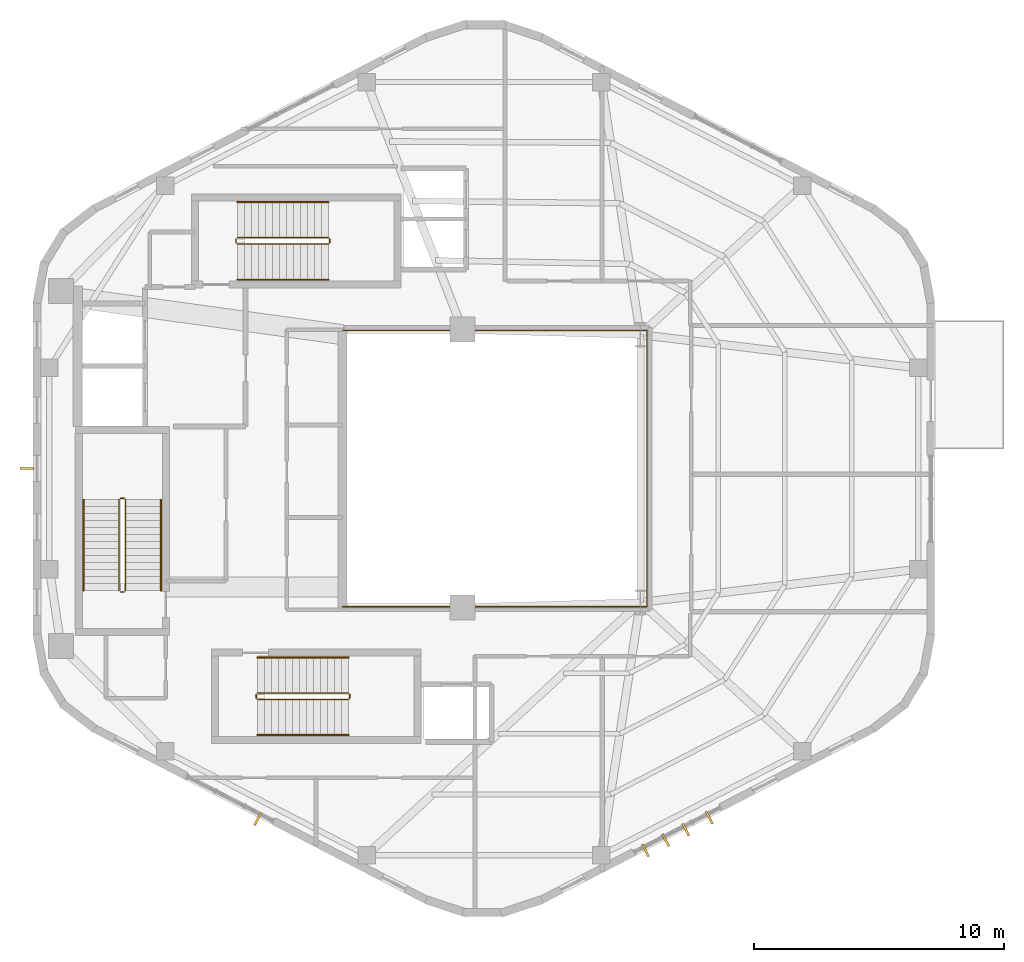
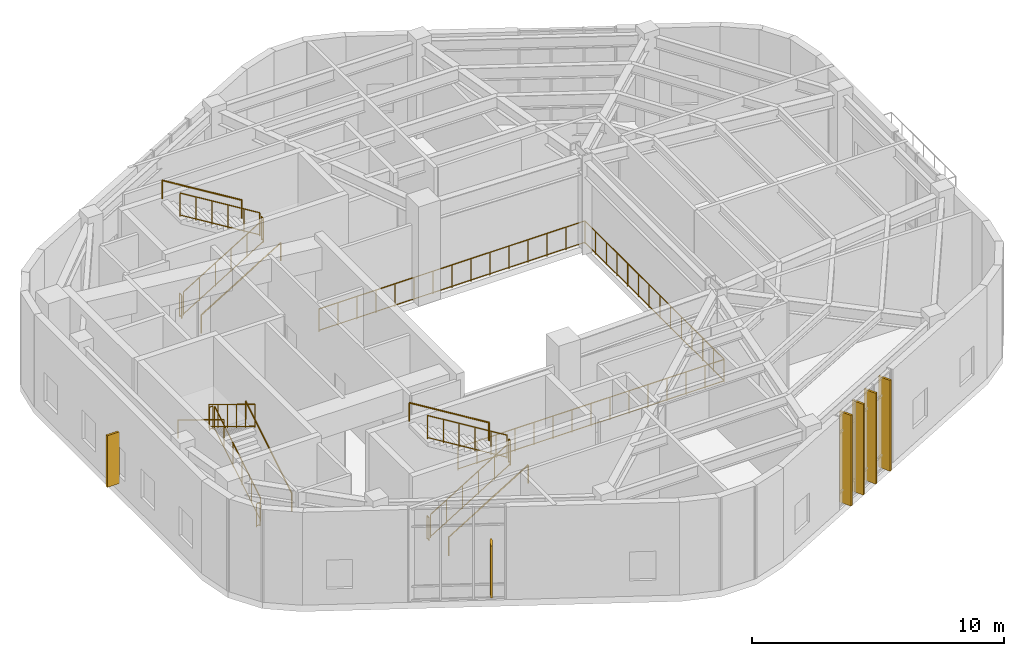
# One storey, part 18 of 19: 19 railings, 6 shading devices.
"""IFC4 building model written with IfcOpenShell, lengths in metres."""

from ifc_helpers import new_model, si_unit, direction, frame, origin, origin_2d, place, context, subcontext, project, spatial, rectangle, circle, extrude, material, type_object, element, save


model = new_model("IFC4")

# Units and contexts
model_context = context("Model", 3, precision=1e-05, world=origin(), true_north=direction((0.0, 1.0)))
body_context = subcontext(model_context, "Body", "Model", "MODEL_VIEW")
ifc_project = project(units=[si_unit("LENGTHUNIT", "METRE"), si_unit("AREAUNIT", "SQUARE_METRE"), si_unit("VOLUMEUNIT", "CUBIC_METRE"), si_unit("PLANEANGLEUNIT", "RADIAN"), si_unit("MASSUNIT", "GRAM", prefix="KILO"), si_unit("THERMODYNAMICTEMPERATUREUNIT", "KELVIN"), si_unit("POWERUNIT", "WATT")], contexts=[model_context])

# Site, building, storey
site_placement = place(None, origin())
site = spatial("IfcSite", under=ifc_project, at=site_placement, CompositionType="ELEMENT")
building_placement = place(site_placement, origin())
building = spatial("IfcBuilding", under=site, at=building_placement, Name="Skarre Station Tower", CompositionType="ELEMENT")
storey_placement = place(building_placement, frame((0.0, 0.0, 275.10009765625)))
storey = spatial("IfcBuildingStorey", under=building, at=storey_placement, Name="L75", CompositionType="ELEMENT", Elevation=275.10009765625)

# Railing
ifc_material_1 = material(Name="Bronze Anodized Steel & Laminated Glass Balustrade", Category="steel")
railing_type_1 = type_object("IfcRailingType", Name="Atrium Void & Mezzanine Guard Balustrade 1120", PredefinedType="GUARDRAIL", material=ifc_material_1)
railing_1_placement = place(storey_placement, frame((27.550048828125, 18.47998046875, 0.0)))
element("IfcRailing", 1, at=railing_1_placement, inside=storey, type_object=railing_type_1, Name="L75 Atrium Void Guard Balustrade", PredefinedType="GUARDRAIL", context=body_context, shape_type="SweptSolid", body=[
    extrude(circle(Radius=0.02392578125, at=origin_2d()), frame((0.0, 0.0, 1.09619140625), z_axis=(1.0, 0.0, 0.0), x_axis=(0.0, 1.0, 0.0)), (0.0, 0.0, 1.0), 12.169921875),
    extrude(circle(Radius=0.02099609375, at=origin_2d()), frame((0.0, 0.0, 0.06005859375), z_axis=(1.0, 0.0, 0.0), x_axis=(0.0, 1.0, 0.0)), (0.0, 0.0, 1.0), 12.169921875),
    extrude(circle(Radius=0.02392578125, at=origin_2d()), frame((12.169921875, 0.0, 1.09619140625), z_axis=(0.0, 1.0, 0.0), x_axis=(-1.0, 0.0, 0.0)), (0.0, 0.0, 1.0), 11.0400390625),
    extrude(circle(Radius=0.02099609375, at=origin_2d()), frame((12.169921875, 0.0, 0.06005859375), z_axis=(0.0, 1.0, 0.0), x_axis=(-1.0, 0.0, 0.0)), (0.0, 0.0, 1.0), 11.0400390625),
    extrude(circle(Radius=0.02392578125, at=origin_2d()), frame((12.169921875, 11.0400390625, 1.09619140625), z_axis=(-1.0, 0.0, 0.0), x_axis=(0.0, -1.0, 0.0)), (0.0, 0.0, 1.0), 12.169921875),
    extrude(circle(Radius=0.02099609375, at=origin_2d()), frame((12.169921875, 11.0400390625, 0.06005859375), z_axis=(-1.0, 0.0, 0.0), x_axis=(0.0, -1.0, 0.0)), (0.0, 0.0, 1.0), 12.169921875),
    extrude(circle(Radius=0.02099609375, at=origin_2d()), origin(), (0.0, 0.0, 1.0), 1.072021484375),
    extrude(circle(Radius=0.02099609375, at=origin_2d()), frame((0.869384765625, 0.0, 0.0)), (0.0, 0.0, 1.0), 1.072021484375),
    extrude(circle(Radius=0.02099609375, at=origin_2d()), frame((1.738525390625, 0.0, 0.0)), (0.0, 0.0, 1.0), 1.072021484375),
    extrude(circle(Radius=0.02099609375, at=origin_2d()), frame((2.60791015625, 0.0, 0.0)), (0.0, 0.0, 1.0), 1.072021484375),
    extrude(circle(Radius=0.02099609375, at=origin_2d()), frame((3.47705078125, 0.0, 0.0)), (0.0, 0.0, 1.0), 1.072021484375),
    extrude(circle(Radius=0.02099609375, at=origin_2d()), frame((4.346435546875, 0.0, 0.0)), (0.0, 0.0, 1.0), 1.072021484375),
    extrude(circle(Radius=0.02099609375, at=origin_2d()), frame((5.215576171875, 0.0, 0.0)), (0.0, 0.0, 1.0), 1.072021484375),
    extrude(circle(Radius=0.02099609375, at=origin_2d()), frame((6.0849609375, 0.0, 0.0)), (0.0, 0.0, 1.0), 1.072021484375),
    extrude(circle(Radius=0.02099609375, at=origin_2d()), frame((6.954345703125, 0.0, 0.0)), (0.0, 0.0, 1.0), 1.072021484375),
    extrude(circle(Radius=0.02099609375, at=origin_2d()), frame((7.823486328125, 0.0, 0.0)), (0.0, 0.0, 1.0), 1.072021484375),
    extrude(circle(Radius=0.02099609375, at=origin_2d()), frame((8.69287109375, 0.0, 0.0)), (0.0, 0.0, 1.0), 1.072021484375),
    extrude(circle(Radius=0.02099609375, at=origin_2d()), frame((9.56201171875, 0.0, 0.0)), (0.0, 0.0, 1.0), 1.072021484375),
    extrude(circle(Radius=0.02099609375, at=origin_2d()), frame((10.431396484375, 0.0, 0.0)), (0.0, 0.0, 1.0), 1.072021484375),
    extrude(circle(Radius=0.02099609375, at=origin_2d()), frame((11.300537109375, 0.0, 0.0)), (0.0, 0.0, 1.0), 1.072021484375),
    extrude(circle(Radius=0.02099609375, at=origin_2d()), frame((12.169921875, 0.0, 0.0)), (0.0, 0.0, 1.0), 1.072021484375),
    extrude(circle(Radius=0.02099609375, at=origin_2d()), frame((12.169921875, 0.84912109375, 0.0)), (0.0, 0.0, 1.0), 1.072021484375),
    extrude(circle(Radius=0.02099609375, at=origin_2d()), frame((12.169921875, 1.698486328125, 0.0)), (0.0, 0.0, 1.0), 1.072021484375),
    extrude(circle(Radius=0.02099609375, at=origin_2d()), frame((12.169921875, 2.547607421875, 0.0)), (0.0, 0.0, 1.0), 1.072021484375),
    extrude(circle(Radius=0.02099609375, at=origin_2d()), frame((12.169921875, 3.39697265625, 0.0)), (0.0, 0.0, 1.0), 1.072021484375),
    extrude(circle(Radius=0.02099609375, at=origin_2d()), frame((12.169921875, 4.24609375, 0.0)), (0.0, 0.0, 1.0), 1.072021484375),
    extrude(circle(Radius=0.02099609375, at=origin_2d()), frame((12.169921875, 5.095458984375, 0.0)), (0.0, 0.0, 1.0), 1.072021484375),
    extrude(circle(Radius=0.02099609375, at=origin_2d()), frame((12.169921875, 5.944580078125, 0.0)), (0.0, 0.0, 1.0), 1.072021484375),
    extrude(circle(Radius=0.02099609375, at=origin_2d()), frame((12.169921875, 6.7939453125, 0.0)), (0.0, 0.0, 1.0), 1.072021484375),
    extrude(circle(Radius=0.02099609375, at=origin_2d()), frame((12.169921875, 7.64306640625, 0.0)), (0.0, 0.0, 1.0), 1.072021484375),
    extrude(circle(Radius=0.02099609375, at=origin_2d()), frame((12.169921875, 8.492431640625, 0.0)), (0.0, 0.0, 1.0), 1.072021484375),
    extrude(circle(Radius=0.02099609375, at=origin_2d()), frame((12.169921875, 9.341552734375, 0.0)), (0.0, 0.0, 1.0), 1.072021484375),
    extrude(circle(Radius=0.02099609375, at=origin_2d()), frame((12.169921875, 10.19091796875, 0.0)), (0.0, 0.0, 1.0), 1.072021484375),
    extrude(circle(Radius=0.02099609375, at=origin_2d()), frame((12.169921875, 11.0400390625, 0.0)), (0.0, 0.0, 1.0), 1.072021484375),
    extrude(circle(Radius=0.02099609375, at=origin_2d()), frame((11.300537109375, 11.0400390625, 0.0)), (0.0, 0.0, 1.0), 1.072021484375),
    extrude(circle(Radius=0.02099609375, at=origin_2d()), frame((10.431396484375, 11.0400390625, 0.0)), (0.0, 0.0, 1.0), 1.072021484375),
    extrude(circle(Radius=0.02099609375, at=origin_2d()), frame((9.56201171875, 11.0400390625, 0.0)), (0.0, 0.0, 1.0), 1.072021484375),
    extrude(circle(Radius=0.02099609375, at=origin_2d()), frame((8.69287109375, 11.0400390625, 0.0)), (0.0, 0.0, 1.0), 1.072021484375),
    extrude(circle(Radius=0.02099609375, at=origin_2d()), frame((7.823486328125, 11.0400390625, 0.0)), (0.0, 0.0, 1.0), 1.072021484375),
    extrude(circle(Radius=0.02099609375, at=origin_2d()), frame((6.954345703125, 11.0400390625, 0.0)), (0.0, 0.0, 1.0), 1.072021484375),
    extrude(circle(Radius=0.02099609375, at=origin_2d()), frame((6.0849609375, 11.0400390625, 0.0)), (0.0, 0.0, 1.0), 1.072021484375),
    extrude(circle(Radius=0.02099609375, at=origin_2d()), frame((5.215576171875, 11.0400390625, 0.0)), (0.0, 0.0, 1.0), 1.072021484375),
    extrude(circle(Radius=0.02099609375, at=origin_2d()), frame((4.346435546875, 11.0400390625, 0.0)), (0.0, 0.0, 1.0), 1.072021484375),
    extrude(circle(Radius=0.02099609375, at=origin_2d()), frame((3.47705078125, 11.0400390625, 0.0)), (0.0, 0.0, 1.0), 1.072021484375),
    extrude(circle(Radius=0.02099609375, at=origin_2d()), frame((2.60791015625, 11.0400390625, 0.0)), (0.0, 0.0, 1.0), 1.072021484375),
    extrude(circle(Radius=0.02099609375, at=origin_2d()), frame((1.738525390625, 11.0400390625, 0.0)), (0.0, 0.0, 1.0), 1.072021484375),
    extrude(circle(Radius=0.02099609375, at=origin_2d()), frame((0.869384765625, 11.0400390625, 0.0)), (0.0, 0.0, 1.0), 1.072021484375),
    extrude(circle(Radius=0.02099609375, at=origin_2d()), frame((0.0, 11.0400390625, 0.0)), (0.0, 0.0, 1.0), 1.072021484375),
])

# Shading devices
ifc_material_2 = material(Name="Bronze Anodized Extruded Aluminium 6063-T6", Category="aluminium")
shading_device_type = type_object("IfcShadingDeviceType", Name="Nordic Bronze Vertical Solar Fin 550x90", PredefinedType="SHUTTER", material=ifc_material_2)
for number, where, z_axis, x_axis, name in (
    (2, (42.20703125, 10.050048828125, 0.0498046875), (0.0, 0.0, 1.0), (0.458711590553, -0.88858521071, 0.0), "L75 Facet 4 Crown Solar Fin 1"),
    (3, (41.26904296875, 9.56591796875, 0.0498046875), (0.0, 0.0, 1.0), (0.458711590553, -0.88858521071, 0.0), "L75 Facet 4 Crown Solar Fin 2"),
    (4, (40.465087890625, 9.15087890625, 0.0498046875), (0.0, 0.0, 1.0), (0.458711590553, -0.88858521071, 0.0), "L75 Facet 4 Crown Solar Fin 3"),
    (5, (39.660888671875, 8.736083984375, 0.0498046875), (0.0, 0.0, 1.0), (0.458711590553, -0.88858521071, 0.0), "L75 Facet 4 Crown Solar Fin 4"),
):
    element("IfcShadingDevice", number, at=place(storey_placement, frame(where, z_axis=z_axis, x_axis=x_axis)), inside=storey, type_object=shading_device_type, Name=name, PredefinedType="SHUTTER", context=body_context, shape_type="SweptSolid", body=[
        extrude(rectangle(XDim=0.550048828125, YDim=0.090087890625, at=origin_2d()), origin(), (0.0, 0.0, 1.0), 4.389892578125),
    ])
for number, where, z_axis, x_axis, name in (
    (6, (14.93701171875, 24.0, 0.349853515625), (0.0, 0.0, 1.0), (-1.0, 0.0, 0.0), "L75 Facet 2 Bronze Solar Fin"),
    (7, (24.1640625, 9.991943359375, 0.349853515625), (0.0, 0.0, 1.0), (-0.458711590553, -0.88858521071, 0.0), "L75 Facet 3 Bronze Solar Fin"),
):
    element("IfcShadingDevice", number, at=place(storey_placement, frame(where, z_axis=z_axis, x_axis=x_axis)), inside=storey, type_object=shading_device_type, Name=name, PredefinedType="SHUTTER", context=body_context, shape_type="SweptSolid", body=[
        extrude(rectangle(XDim=0.550048828125, YDim=0.090087890625, at=origin_2d()), origin(), (0.0, 0.0, 1.0), 2.5),
    ])

# Railings
ifc_material_3 = material(Name="Powder-Coated Tubular Steel", Category="steel")
railing_type_2 = type_object("IfcRailingType", Name="Painted Steel Ramp & Stair Handrail 920", PredefinedType="HANDRAIL", material=ifc_material_3)
railing_2_placement = place(storey_placement, frame((20.300048828125, 19.1201171875, 0.17138671875)))
element("IfcRailing", 8, at=railing_2_placement, inside=storey, type_object=railing_type_2, Name="L75 ST-1 stair handrail 1", PredefinedType="HANDRAIL", context=body_context, shape_type="SweptSolid", body=[
    extrude(circle(Radius=0.02392578125, at=origin_2d()), frame((0.0, 0.0, 0.8759765625), z_axis=(0.0, 0.852850264322, 0.5221555579), x_axis=(-1.0, 0.0, 0.0)), (0.0, 0.0, 1.0), 4.267822265625),
    extrude(circle(Radius=0.02099609375, at=origin_2d()), origin(), (0.0, 0.0, 1.0), 0.851806640625),
    extrude(circle(Radius=0.02099609375, at=origin_2d()), frame((0.0, 3.639892578125, 2.228515625)), (0.0, 0.0, 1.0), 0.851806640625),
])
railing_3_placement = place(storey_placement, frame((17.199951171875, 22.760009765625, 2.5712890625)))
element("IfcRailing", 9, at=railing_3_placement, inside=storey, type_object=railing_type_2, Name="L75 ST-1 stair handrail 2", PredefinedType="HANDRAIL", context=body_context, shape_type="SweptSolid", body=[
    extrude(circle(Radius=0.02392578125, at=origin_2d()), frame((0.0, 0.0, 0.8759765625), z_axis=(0.0, -0.852850264322, 0.5221555579), x_axis=(1.0, 0.0, 0.0)), (0.0, 0.0, 1.0), 4.267822265625),
    extrude(circle(Radius=0.02099609375, at=origin_2d()), origin(), (0.0, 0.0, 1.0), 0.851806640625),
    extrude(circle(Radius=0.02099609375, at=origin_2d()), frame((0.0, -3.639892578125, 2.228515625)), (0.0, 0.0, 1.0), 0.851806640625),
])
railing_4_placement = place(storey_placement, frame((24.14990234375, 13.35009765625, 0.17138671875)))
element("IfcRailing", 10, at=railing_4_placement, inside=storey, type_object=railing_type_2, Name="L75 ST-2 stair handrail 1", PredefinedType="HANDRAIL", context=body_context, shape_type="SweptSolid", body=[
    extrude(circle(Radius=0.02392578125, at=origin_2d()), frame((0.0, 0.0, 0.8759765625), z_axis=(0.852865859571, 0.0, 0.52213008492), x_axis=(0.0, 1.0, 0.0)), (0.0, 0.0, 1.0), 4.26806640625),
    extrude(circle(Radius=0.02099609375, at=origin_2d()), origin(), (0.0, 0.0, 1.0), 0.851806640625),
    extrude(circle(Radius=0.02099609375, at=origin_2d()), frame((3.64013671875, 0.0, 2.228515625)), (0.0, 0.0, 1.0), 0.851806640625),
])
railing_5_placement = place(storey_placement, frame((27.7900390625, 16.449951171875, 2.5712890625)))
element("IfcRailing", 11, at=railing_5_placement, inside=storey, type_object=railing_type_2, Name="L75 ST-2 stair handrail 2", PredefinedType="HANDRAIL", context=body_context, shape_type="SweptSolid", body=[
    extrude(circle(Radius=0.02392578125, at=origin_2d()), frame((0.0, 0.0, 0.8759765625), z_axis=(-0.852865859571, 0.0, 0.52213008492), x_axis=(0.0, -1.0, 0.0)), (0.0, 0.0, 1.0), 4.26806640625),
    extrude(circle(Radius=0.02099609375, at=origin_2d()), origin(), (0.0, 0.0, 1.0), 0.851806640625),
    extrude(circle(Radius=0.02099609375, at=origin_2d()), frame((-3.64013671875, 0.0, 2.228515625)), (0.0, 0.0, 1.0), 0.851806640625),
])
railing_6_placement = place(storey_placement, frame((23.35009765625, 31.550048828125, 0.17138671875)))
element("IfcRailing", 12, at=railing_6_placement, inside=storey, type_object=railing_type_2, Name="L75 ST-3 stair handrail 1", PredefinedType="HANDRAIL", context=body_context, shape_type="SweptSolid", body=[
    extrude(circle(Radius=0.02392578125, at=origin_2d()), frame((0.0, 0.0, 0.8759765625), z_axis=(0.852850264322, 0.0, 0.5221555579), x_axis=(0.0, 1.0, 0.0)), (0.0, 0.0, 1.0), 4.267822265625),
    extrude(circle(Radius=0.02099609375, at=origin_2d()), origin(), (0.0, 0.0, 1.0), 0.851806640625),
    extrude(circle(Radius=0.02099609375, at=origin_2d()), frame((3.639892578125, 0.0, 2.228515625)), (0.0, 0.0, 1.0), 0.851806640625),
])
railing_7_placement = place(storey_placement, frame((26.989990234375, 34.64990234375, 2.5712890625)))
element("IfcRailing", 13, at=railing_7_placement, inside=storey, type_object=railing_type_2, Name="L75 ST-3 stair handrail 2", PredefinedType="HANDRAIL", context=body_context, shape_type="SweptSolid", body=[
    extrude(circle(Radius=0.02392578125, at=origin_2d()), frame((0.0, 0.0, 0.8759765625), z_axis=(-0.852850264322, 0.0, 0.5221555579), x_axis=(0.0, -1.0, 0.0)), (0.0, 0.0, 1.0), 4.267822265625),
    extrude(circle(Radius=0.02099609375, at=origin_2d()), origin(), (0.0, 0.0, 1.0), 0.851806640625),
    extrude(circle(Radius=0.02099609375, at=origin_2d()), frame((-3.639892578125, 0.0, 2.228515625)), (0.0, 0.0, 1.0), 0.851806640625),
])
railing_type_3 = type_object("IfcRailingType", Name="Painted Steel Stairwell Guardrail 1100", PredefinedType="GUARDRAIL", material=ifc_material_3)
railing_8_placement = place(storey_placement, frame((18.8798828125, 19.1201171875, 0.17138671875)))
element("IfcRailing", 14, at=railing_8_placement, inside=storey, type_object=railing_type_3, Name="L75 ST-1 stair guard 1", PredefinedType="GUARDRAIL", context=body_context, shape_type="SweptSolid", body=[
    extrude(circle(Radius=0.02392578125, at=origin_2d()), frame((0.0, 0.0, 1.1259765625), z_axis=(0.0, 0.852850264322, 0.5221555579), x_axis=(-1.0, 0.0, 0.0)), (0.0, 0.0, 1.0), 4.267822265625),
    extrude(circle(Radius=0.02099609375, at=origin_2d()), frame((0.0, 0.0, 0.06005859375), z_axis=(0.0, 0.852850264322, 0.5221555579), x_axis=(-1.0, 0.0, 0.0)), (0.0, 0.0, 1.0), 4.267822265625),
    extrude(circle(Radius=0.02099609375, at=origin_2d()), origin(), (0.0, 0.0, 1.0), 1.101806640625),
    extrude(circle(Radius=0.02099609375, at=origin_2d()), frame((0.0, 0.72802734375, 0.44580078125)), (0.0, 0.0, 1.0), 1.101806640625),
    extrude(circle(Radius=0.02099609375, at=origin_2d()), frame((0.0, 1.4560546875, 0.891357421875)), (0.0, 0.0, 1.0), 1.101806640625),
    extrude(circle(Radius=0.02099609375, at=origin_2d()), frame((0.0, 2.183837890625, 1.337158203125)), (0.0, 0.0, 1.0), 1.101806640625),
    extrude(circle(Radius=0.02099609375, at=origin_2d()), frame((0.0, 2.911865234375, 1.78271484375)), (0.0, 0.0, 1.0), 1.101806640625),
    extrude(circle(Radius=0.02099609375, at=origin_2d()), frame((0.0, 3.639892578125, 2.228515625)), (0.0, 0.0, 1.0), 1.101806640625),
])
railing_9_placement = place(storey_placement, frame((18.830078125, 22.81005859375, 2.39990234375)))
element("IfcRailing", 15, at=railing_9_placement, inside=storey, type_object=railing_type_3, Name="L75 ST-1 stair guard 2", PredefinedType="GUARDRAIL", context=body_context, shape_type="SweptSolid", body=[
    extrude(circle(Radius=0.02392578125, at=origin_2d()), frame((0.0, 0.0, 1.1259765625), z_axis=(-1.0, 0.0, 0.0), x_axis=(0.0, -1.0, 0.0)), (0.0, 0.0, 1.0), 0.16015625),
    extrude(circle(Radius=0.02099609375, at=origin_2d()), frame((0.0, 0.0, 0.06005859375), z_axis=(-1.0, 0.0, 0.0), x_axis=(0.0, -1.0, 0.0)), (0.0, 0.0, 1.0), 0.16015625),
    extrude(circle(Radius=0.02099609375, at=origin_2d()), origin(), (0.0, 0.0, 1.0), 1.101806640625),
    extrude(circle(Radius=0.02099609375, at=origin_2d()), frame((-0.16015625, 0.0, 0.0)), (0.0, 0.0, 1.0), 1.101806640625),
])
railing_10_placement = place(storey_placement, frame((18.6201171875, 22.760009765625, 2.5712890625)))
element("IfcRailing", 16, at=railing_10_placement, inside=storey, type_object=railing_type_3, Name="L75 ST-1 stair guard 3", PredefinedType="GUARDRAIL", context=body_context, shape_type="SweptSolid", body=[
    extrude(circle(Radius=0.02392578125, at=origin_2d()), frame((0.0, 0.0, 1.1259765625), z_axis=(0.0, -0.852850264322, 0.5221555579), x_axis=(1.0, 0.0, 0.0)), (0.0, 0.0, 1.0), 4.267822265625),
    extrude(circle(Radius=0.02099609375, at=origin_2d()), frame((0.0, 0.0, 0.06005859375), z_axis=(0.0, -0.852850264322, 0.5221555579), x_axis=(1.0, 0.0, 0.0)), (0.0, 0.0, 1.0), 4.267822265625),
    extrude(circle(Radius=0.02099609375, at=origin_2d()), origin(), (0.0, 0.0, 1.0), 1.101806640625),
    extrude(circle(Radius=0.02099609375, at=origin_2d()), frame((0.0, -0.72802734375, 0.44580078125)), (0.0, 0.0, 1.0), 1.101806640625),
    extrude(circle(Radius=0.02099609375, at=origin_2d()), frame((0.0, -1.4560546875, 0.891357421875)), (0.0, 0.0, 1.0), 1.101806640625),
    extrude(circle(Radius=0.02099609375, at=origin_2d()), frame((0.0, -2.183837890625, 1.337158203125)), (0.0, 0.0, 1.0), 1.101806640625),
    extrude(circle(Radius=0.02099609375, at=origin_2d()), frame((0.0, -2.911865234375, 1.78271484375)), (0.0, 0.0, 1.0), 1.101806640625),
    extrude(circle(Radius=0.02099609375, at=origin_2d()), frame((0.0, -3.639892578125, 2.228515625)), (0.0, 0.0, 1.0), 1.101806640625),
])
railing_11_placement = place(storey_placement, frame((18.830078125, 19.070068359375, 0.0)))
element("IfcRailing", 17, at=railing_11_placement, inside=storey, type_object=railing_type_3, Name="L75 ST-1 stair guard 4", PredefinedType="GUARDRAIL", context=body_context, shape_type="SweptSolid", body=[
    extrude(circle(Radius=0.02392578125, at=origin_2d()), frame((0.0, 0.0, 1.1259765625), z_axis=(-1.0, 0.0, 0.0), x_axis=(0.0, -1.0, 0.0)), (0.0, 0.0, 1.0), 0.16015625),
    extrude(circle(Radius=0.02099609375, at=origin_2d()), frame((0.0, 0.0, 0.06005859375), z_axis=(-1.0, 0.0, 0.0), x_axis=(0.0, -1.0, 0.0)), (0.0, 0.0, 1.0), 0.16015625),
    extrude(circle(Radius=0.02099609375, at=origin_2d()), origin(), (0.0, 0.0, 1.0), 1.101806640625),
    extrude(circle(Radius=0.02099609375, at=origin_2d()), frame((-0.16015625, 0.0, 0.0)), (0.0, 0.0, 1.0), 1.101806640625),
])
railing_12_placement = place(storey_placement, frame((24.14990234375, 14.77001953125, 0.17138671875)))
element("IfcRailing", 18, at=railing_12_placement, inside=storey, type_object=railing_type_3, Name="L75 ST-2 stair guard 1", PredefinedType="GUARDRAIL", context=body_context, shape_type="SweptSolid", body=[
    extrude(circle(Radius=0.02392578125, at=origin_2d()), frame((0.0, 0.0, 1.1259765625), z_axis=(0.852865859571, 0.0, 0.52213008492), x_axis=(0.0, 1.0, 0.0)), (0.0, 0.0, 1.0), 4.26806640625),
    extrude(circle(Radius=0.02099609375, at=origin_2d()), frame((0.0, 0.0, 0.06005859375), z_axis=(0.852865859571, 0.0, 0.52213008492), x_axis=(0.0, 1.0, 0.0)), (0.0, 0.0, 1.0), 4.26806640625),
    extrude(circle(Radius=0.02099609375, at=origin_2d()), origin(), (0.0, 0.0, 1.0), 1.101806640625),
    extrude(circle(Radius=0.02099609375, at=origin_2d()), frame((0.72802734375, 0.0, 0.44580078125)), (0.0, 0.0, 1.0), 1.101806640625),
    extrude(circle(Radius=0.02099609375, at=origin_2d()), frame((1.4560546875, 0.0, 0.891357421875)), (0.0, 0.0, 1.0), 1.101806640625),
    extrude(circle(Radius=0.02099609375, at=origin_2d()), frame((2.18408203125, 0.0, 1.337158203125)), (0.0, 0.0, 1.0), 1.101806640625),
    extrude(circle(Radius=0.02099609375, at=origin_2d()), frame((2.912109375, 0.0, 1.78271484375)), (0.0, 0.0, 1.0), 1.101806640625),
    extrude(circle(Radius=0.02099609375, at=origin_2d()), frame((3.64013671875, 0.0, 2.228515625)), (0.0, 0.0, 1.0), 1.101806640625),
])
railing_13_placement = place(storey_placement, frame((27.840087890625, 14.820068359375, 2.39990234375)))
element("IfcRailing", 19, at=railing_13_placement, inside=storey, type_object=railing_type_3, Name="L75 ST-2 stair guard 2", PredefinedType="GUARDRAIL", context=body_context, shape_type="SweptSolid", body=[
    extrude(circle(Radius=0.02392578125, at=origin_2d()), frame((0.0, 0.0, 1.1259765625), z_axis=(0.0, 1.0, 0.0), x_axis=(-1.0, 0.0, 0.0)), (0.0, 0.0, 1.0), 0.159912109375),
    extrude(circle(Radius=0.02099609375, at=origin_2d()), frame((0.0, 0.0, 0.06005859375), z_axis=(0.0, 1.0, 0.0), x_axis=(-1.0, 0.0, 0.0)), (0.0, 0.0, 1.0), 0.159912109375),
    extrude(circle(Radius=0.02099609375, at=origin_2d()), origin(), (0.0, 0.0, 1.0), 1.101806640625),
    extrude(circle(Radius=0.02099609375, at=origin_2d()), frame((0.0, 0.159912109375, 0.0)), (0.0, 0.0, 1.0), 1.101806640625),
])
railing_14_placement = place(storey_placement, frame((27.7900390625, 15.030029296875, 2.5712890625)))
element("IfcRailing", 20, at=railing_14_placement, inside=storey, type_object=railing_type_3, Name="L75 ST-2 stair guard 3", PredefinedType="GUARDRAIL", context=body_context, shape_type="SweptSolid", body=[
    extrude(circle(Radius=0.02392578125, at=origin_2d()), frame((0.0, 0.0, 1.1259765625), z_axis=(-0.852865859571, 0.0, 0.52213008492), x_axis=(0.0, -1.0, 0.0)), (0.0, 0.0, 1.0), 4.26806640625),
    extrude(circle(Radius=0.02099609375, at=origin_2d()), frame((0.0, 0.0, 0.06005859375), z_axis=(-0.852865859571, 0.0, 0.52213008492), x_axis=(0.0, -1.0, 0.0)), (0.0, 0.0, 1.0), 4.26806640625),
    extrude(circle(Radius=0.02099609375, at=origin_2d()), origin(), (0.0, 0.0, 1.0), 1.101806640625),
    extrude(circle(Radius=0.02099609375, at=origin_2d()), frame((-0.72802734375, 0.0, 0.44580078125)), (0.0, 0.0, 1.0), 1.101806640625),
    extrude(circle(Radius=0.02099609375, at=origin_2d()), frame((-1.4560546875, 0.0, 0.891357421875)), (0.0, 0.0, 1.0), 1.101806640625),
    extrude(circle(Radius=0.02099609375, at=origin_2d()), frame((-2.18408203125, 0.0, 1.337158203125)), (0.0, 0.0, 1.0), 1.101806640625),
    extrude(circle(Radius=0.02099609375, at=origin_2d()), frame((-2.912109375, 0.0, 1.78271484375)), (0.0, 0.0, 1.0), 1.101806640625),
    extrude(circle(Radius=0.02099609375, at=origin_2d()), frame((-3.64013671875, 0.0, 2.228515625)), (0.0, 0.0, 1.0), 1.101806640625),
])
railing_15_placement = place(storey_placement, frame((24.10009765625, 14.820068359375, 0.0)))
element("IfcRailing", 21, at=railing_15_placement, inside=storey, type_object=railing_type_3, Name="L75 ST-2 stair guard 4", PredefinedType="GUARDRAIL", context=body_context, shape_type="SweptSolid", body=[
    extrude(circle(Radius=0.02392578125, at=origin_2d()), frame((0.0, 0.0, 1.1259765625), z_axis=(0.0, 1.0, 0.0), x_axis=(-1.0, 0.0, 0.0)), (0.0, 0.0, 1.0), 0.159912109375),
    extrude(circle(Radius=0.02099609375, at=origin_2d()), frame((0.0, 0.0, 0.06005859375), z_axis=(0.0, 1.0, 0.0), x_axis=(-1.0, 0.0, 0.0)), (0.0, 0.0, 1.0), 0.159912109375),
    extrude(circle(Radius=0.02099609375, at=origin_2d()), origin(), (0.0, 0.0, 1.0), 1.101806640625),
    extrude(circle(Radius=0.02099609375, at=origin_2d()), frame((0.0, 0.159912109375, 0.0)), (0.0, 0.0, 1.0), 1.101806640625),
])
railing_16_placement = place(storey_placement, frame((23.35009765625, 32.969970703125, 0.17138671875)))
element("IfcRailing", 22, at=railing_16_placement, inside=storey, type_object=railing_type_3, Name="L75 ST-3 stair guard 1", PredefinedType="GUARDRAIL", context=body_context, shape_type="SweptSolid", body=[
    extrude(circle(Radius=0.02392578125, at=origin_2d()), frame((0.0, 0.0, 1.1259765625), z_axis=(0.852850264322, 0.0, 0.5221555579), x_axis=(0.0, 1.0, 0.0)), (0.0, 0.0, 1.0), 4.267822265625),
    extrude(circle(Radius=0.02099609375, at=origin_2d()), frame((0.0, 0.0, 0.06005859375), z_axis=(0.852850264322, 0.0, 0.5221555579), x_axis=(0.0, 1.0, 0.0)), (0.0, 0.0, 1.0), 4.267822265625),
    extrude(circle(Radius=0.02099609375, at=origin_2d()), origin(), (0.0, 0.0, 1.0), 1.101806640625),
    extrude(circle(Radius=0.02099609375, at=origin_2d()), frame((0.72802734375, 0.0, 0.44580078125)), (0.0, 0.0, 1.0), 1.101806640625),
    extrude(circle(Radius=0.02099609375, at=origin_2d()), frame((1.4560546875, 0.0, 0.891357421875)), (0.0, 0.0, 1.0), 1.101806640625),
    extrude(circle(Radius=0.02099609375, at=origin_2d()), frame((2.183837890625, 0.0, 1.337158203125)), (0.0, 0.0, 1.0), 1.101806640625),
    extrude(circle(Radius=0.02099609375, at=origin_2d()), frame((2.911865234375, 0.0, 1.78271484375)), (0.0, 0.0, 1.0), 1.101806640625),
    extrude(circle(Radius=0.02099609375, at=origin_2d()), frame((3.639892578125, 0.0, 2.228515625)), (0.0, 0.0, 1.0), 1.101806640625),
])
railing_17_placement = place(storey_placement, frame((27.0400390625, 33.02001953125, 2.39990234375)))
element("IfcRailing", 23, at=railing_17_placement, inside=storey, type_object=railing_type_3, Name="L75 ST-3 stair guard 2", PredefinedType="GUARDRAIL", context=body_context, shape_type="SweptSolid", body=[
    extrude(circle(Radius=0.02392578125, at=origin_2d()), frame((0.0, 0.0, 1.1259765625), z_axis=(0.0, 1.0, 0.0), x_axis=(-1.0, 0.0, 0.0)), (0.0, 0.0, 1.0), 0.159912109375),
    extrude(circle(Radius=0.02099609375, at=origin_2d()), frame((0.0, 0.0, 0.06005859375), z_axis=(0.0, 1.0, 0.0), x_axis=(-1.0, 0.0, 0.0)), (0.0, 0.0, 1.0), 0.159912109375),
    extrude(circle(Radius=0.02099609375, at=origin_2d()), origin(), (0.0, 0.0, 1.0), 1.101806640625),
    extrude(circle(Radius=0.02099609375, at=origin_2d()), frame((0.0, 0.159912109375, 0.0)), (0.0, 0.0, 1.0), 1.101806640625),
])
railing_18_placement = place(storey_placement, frame((26.989990234375, 33.22998046875, 2.5712890625)))
element("IfcRailing", 24, at=railing_18_placement, inside=storey, type_object=railing_type_3, Name="L75 ST-3 stair guard 3", PredefinedType="GUARDRAIL", context=body_context, shape_type="SweptSolid", body=[
    extrude(circle(Radius=0.02392578125, at=origin_2d()), frame((0.0, 0.0, 1.1259765625), z_axis=(-0.852850264322, 0.0, 0.5221555579), x_axis=(0.0, -1.0, 0.0)), (0.0, 0.0, 1.0), 4.267822265625),
    extrude(circle(Radius=0.02099609375, at=origin_2d()), frame((0.0, 0.0, 0.06005859375), z_axis=(-0.852850264322, 0.0, 0.5221555579), x_axis=(0.0, -1.0, 0.0)), (0.0, 0.0, 1.0), 4.267822265625),
    extrude(circle(Radius=0.02099609375, at=origin_2d()), origin(), (0.0, 0.0, 1.0), 1.101806640625),
    extrude(circle(Radius=0.02099609375, at=origin_2d()), frame((-0.72802734375, 0.0, 0.44580078125)), (0.0, 0.0, 1.0), 1.101806640625),
    extrude(circle(Radius=0.02099609375, at=origin_2d()), frame((-1.4560546875, 0.0, 0.891357421875)), (0.0, 0.0, 1.0), 1.101806640625),
    extrude(circle(Radius=0.02099609375, at=origin_2d()), frame((-2.183837890625, 0.0, 1.337158203125)), (0.0, 0.0, 1.0), 1.101806640625),
    extrude(circle(Radius=0.02099609375, at=origin_2d()), frame((-2.911865234375, 0.0, 1.78271484375)), (0.0, 0.0, 1.0), 1.101806640625),
    extrude(circle(Radius=0.02099609375, at=origin_2d()), frame((-3.639892578125, 0.0, 2.228515625)), (0.0, 0.0, 1.0), 1.101806640625),
])
railing_19_placement = place(storey_placement, frame((23.300048828125, 33.02001953125, 0.0)))
element("IfcRailing", 25, at=railing_19_placement, inside=storey, type_object=railing_type_3, Name="L75 ST-3 stair guard 4", PredefinedType="GUARDRAIL", context=body_context, shape_type="SweptSolid", body=[
    extrude(circle(Radius=0.02392578125, at=origin_2d()), frame((0.0, 0.0, 1.1259765625), z_axis=(0.0, 1.0, 0.0), x_axis=(-1.0, 0.0, 0.0)), (0.0, 0.0, 1.0), 0.159912109375),
    extrude(circle(Radius=0.02099609375, at=origin_2d()), frame((0.0, 0.0, 0.06005859375), z_axis=(0.0, 1.0, 0.0), x_axis=(-1.0, 0.0, 0.0)), (0.0, 0.0, 1.0), 0.159912109375),
    extrude(circle(Radius=0.02099609375, at=origin_2d()), origin(), (0.0, 0.0, 1.0), 1.101806640625),
    extrude(circle(Radius=0.02099609375, at=origin_2d()), frame((0.0, 0.159912109375, 0.0)), (0.0, 0.0, 1.0), 1.101806640625),
])

save(model, "model.ifc")
